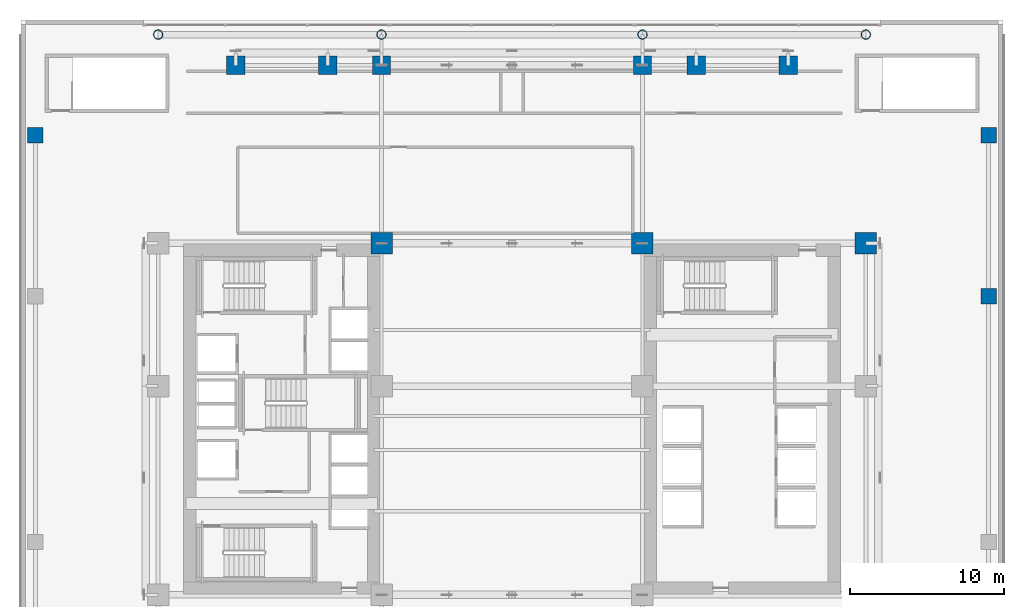
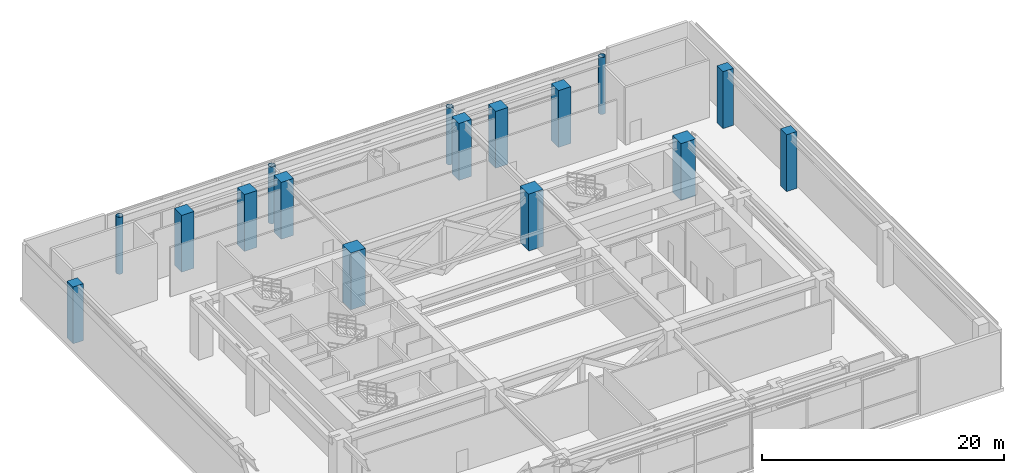
# One storey, part 2 of 29: 16 columns.
"""IFC4 building model written with IfcOpenShell, lengths in metres."""

from ifc_helpers import new_model, si_unit, direction, frame, origin, origin_2d, place, context, subcontext, project, spatial, rectangle, hollow_circle, extrude, source, transform, mapped, material, material_profile, profile_set, type_object, element, save


model = new_model("IFC4")

# Units and contexts
model_context = context("Model", 3, precision=1e-05, world=origin(), true_north=direction((0.0, 1.0)))
body_context = subcontext(model_context, "Body", "Model", "MODEL_VIEW")
ifc_project = project(units=[si_unit("LENGTHUNIT", "METRE"), si_unit("AREAUNIT", "SQUARE_METRE"), si_unit("VOLUMEUNIT", "CUBIC_METRE"), si_unit("PLANEANGLEUNIT", "RADIAN"), si_unit("MASSUNIT", "GRAM", prefix="KILO")], contexts=[model_context])

# Site, building, storey
site_placement = place(None, origin())
site = spatial("IfcSite", under=ifc_project, at=site_placement, CompositionType="ELEMENT")
building_placement = place(site_placement, origin())
building = spatial("IfcBuilding", under=site, at=building_placement, Name="Ocotamira Hotel", CompositionType="ELEMENT")
storey_placement = place(building_placement, frame((0.0, 0.0, 28.800048828125)))
storey = spatial("IfcBuildingStorey", under=building, at=storey_placement, Name="L06", CompositionType="ELEMENT", Elevation=28.800048828125)

# Columns
ifc_material_1 = material(Name="Concrete C50/60", Category="concrete")
ifc_material_profile_1 = material_profile(ifc_material_1, rectangle(XDim=1.0, YDim=1.0, at=origin_2d()), Name="RC1000X1000")
ifc_profile_set_1 = profile_set([ifc_material_profile_1], Name="Concrete C50/60")
column_type_1 = type_object("IfcColumnType", Name="COL-RC1000", PredefinedType="COLUMN", material=ifc_profile_set_1)
shared_shape_1 = source(origin(), body_context, "Body", "SweptSolid", [
    extrude(rectangle(XDim=1.0, YDim=1.0, at=origin_2d()), origin(), (0.0, 0.0, 1.0), 5.75),
])
for number, where, z_axis, x_axis, name in (
    (1, (63.050048828125, 34.0, 0.0), (0.0, 0.0, 1.0), (1.0, 0.0, 0.0), "L06 Column PE3"),
    (2, (0.949951171875, 44.5, 0.0), (0.0, 0.0, 1.0), (1.0, 0.0, 0.0), "L06 Column PW4"),
    (3, (63.050048828125, 44.5, 0.0), (0.0, 0.0, 1.0), (1.0, 0.0, 0.0), "L06 Column PE4"),
):
    element("IfcColumn", number, at=place(storey_placement, frame(where, z_axis=z_axis, x_axis=x_axis)), inside=storey, type_object=column_type_1, Name=name, PredefinedType="COLUMN", context=body_context, shape_type="MappedRepresentation", body=[
        mapped(shared_shape_1, transform((0.0, 0.0, 0.0), scale=1.0)),
    ])
ifc_material_2 = material(Name="Steel ASTM A501 Grade B", Category="steel")
ifc_material_profile_2 = material_profile(ifc_material_2, hollow_circle(Radius=0.304931640625, WallThickness=0.02490234375, at=origin_2d()), Name="CHS610X25")
ifc_profile_set_2 = profile_set([ifc_material_profile_2], Name="Steel ASTM A501 Grade B")
column_type_2 = type_object("IfcColumnType", Name="COL-CHS610", PredefinedType="COLUMN", material=ifc_profile_set_2)
shared_shape_2 = source(origin(), body_context, "Body", "SweptSolid", [
    extrude(hollow_circle(Radius=0.304931640625, WallThickness=0.02490234375, at=origin_2d()), origin(), (0.0, 0.0, 1.0), 5.75),
])
for number, where, z_axis, x_axis, name in (
    (4, (8.949951171875, 51.050048828125, 0.0), (0.0, 0.0, 1.0), (1.0, 0.0, 0.0), "L06 Column PS2_1"),
    (5, (23.5, 51.050048828125, 0.0), (0.0, 0.0, 1.0), (1.0, 0.0, 0.0), "L06 Column PS2_2"),
    (6, (40.5, 51.050048828125, 0.0), (0.0, 0.0, 1.0), (1.0, 0.0, 0.0), "L06 Column PS2_3"),
    (7, (55.050048828125, 51.050048828125, 0.0), (0.0, 0.0, 1.0), (1.0, 0.0, 0.0), "L06 Column PS2_4"),
):
    element("IfcColumn", number, at=place(storey_placement, frame(where, z_axis=z_axis, x_axis=x_axis)), inside=storey, type_object=column_type_2, Name=name, PredefinedType="COLUMN", context=body_context, shape_type="MappedRepresentation", body=[
        mapped(shared_shape_2, transform((0.0, 0.0, 0.0), scale=1.0)),
    ])
ifc_material_3 = material(Name="Concrete C60/75", Category="concrete")
ifc_material_profile_3 = material_profile(ifc_material_3, rectangle(XDim=1.39990234375, YDim=1.39990234375, at=origin_2d()), Name="RC1400X1400")
ifc_profile_set_3 = profile_set([ifc_material_profile_3], Name="Concrete C60/75")
column_type_3 = type_object("IfcColumnType", Name="COL-RC1400", PredefinedType="COLUMN", material=ifc_profile_set_3)
shared_shape_3 = source(origin(), body_context, "Body", "SweptSolid", [
    extrude(rectangle(XDim=1.39990234375, YDim=1.39990234375, at=origin_2d()), origin(), (0.0, 0.0, 1.0), 5.75),
])
for number, where, z_axis, x_axis, name in (
    (8, (23.5, 37.449951171875, 0.0), (0.0, 0.0, 1.0), (1.0, 0.0, 0.0), "L06 Column TW23_37"),
    (9, (40.5, 37.449951171875, 0.0), (0.0, 0.0, 1.0), (1.0, 0.0, 0.0), "L06 Column TE40_37"),
    (10, (55.050048828125, 37.449951171875, 0.0), (0.0, 0.0, 1.0), (1.0, 0.0, 0.0), "L06 Column TE55_37"),
):
    element("IfcColumn", number, at=place(storey_placement, frame(where, z_axis=z_axis, x_axis=x_axis)), inside=storey, type_object=column_type_3, Name=name, PredefinedType="COLUMN", context=body_context, shape_type="MappedRepresentation", body=[
        mapped(shared_shape_3, transform((0.0, 0.0, 0.0), scale=1.0)),
    ])
ifc_material_profile_4 = material_profile(ifc_material_3, rectangle(XDim=1.199951171875, YDim=1.199951171875, at=origin_2d()), Name="RC1200X1200")
ifc_profile_set_4 = profile_set([ifc_material_profile_4], Name="Concrete C60/75")
column_type_4 = type_object("IfcColumnType", Name="COL-RC1200", PredefinedType="COLUMN", material=ifc_profile_set_4)
shared_shape_4 = source(origin(), body_context, "Body", "SweptSolid", [
    extrude(rectangle(XDim=1.199951171875, YDim=1.199951171875, at=origin_2d()), origin(), (0.0, 0.0, 1.0), 5.75),
])
for number, where, z_axis, x_axis, name in (
    (11, (14.0, 49.050048828125, 0.0), (0.0, 0.0, 1.0), (1.0, 0.0, 0.0), "L06 Column NSP2_14"),
    (12, (20.0, 49.050048828125, 0.0), (0.0, 0.0, 1.0), (1.0, 0.0, 0.0), "L06 Column NSP2_20"),
    (13, (23.5, 49.050048828125, 0.0), (0.0, 0.0, 1.0), (1.0, 0.0, 0.0), "L06 Column NSP2_23"),
    (14, (40.5, 49.050048828125, 0.0), (0.0, 0.0, 1.0), (1.0, 0.0, 0.0), "L06 Column NSP2_40"),
    (15, (44.0, 49.050048828125, 0.0), (0.0, 0.0, 1.0), (1.0, 0.0, 0.0), "L06 Column NSP2_44"),
    (16, (50.0, 49.050048828125, 0.0), (0.0, 0.0, 1.0), (1.0, 0.0, 0.0), "L06 Column NSP2_50"),
):
    element("IfcColumn", number, at=place(storey_placement, frame(where, z_axis=z_axis, x_axis=x_axis)), inside=storey, type_object=column_type_4, Name=name, PredefinedType="COLUMN", context=body_context, shape_type="MappedRepresentation", body=[
        mapped(shared_shape_4, transform((0.0, 0.0, 0.0), scale=1.0)),
    ])

save(model, "model.ifc")
